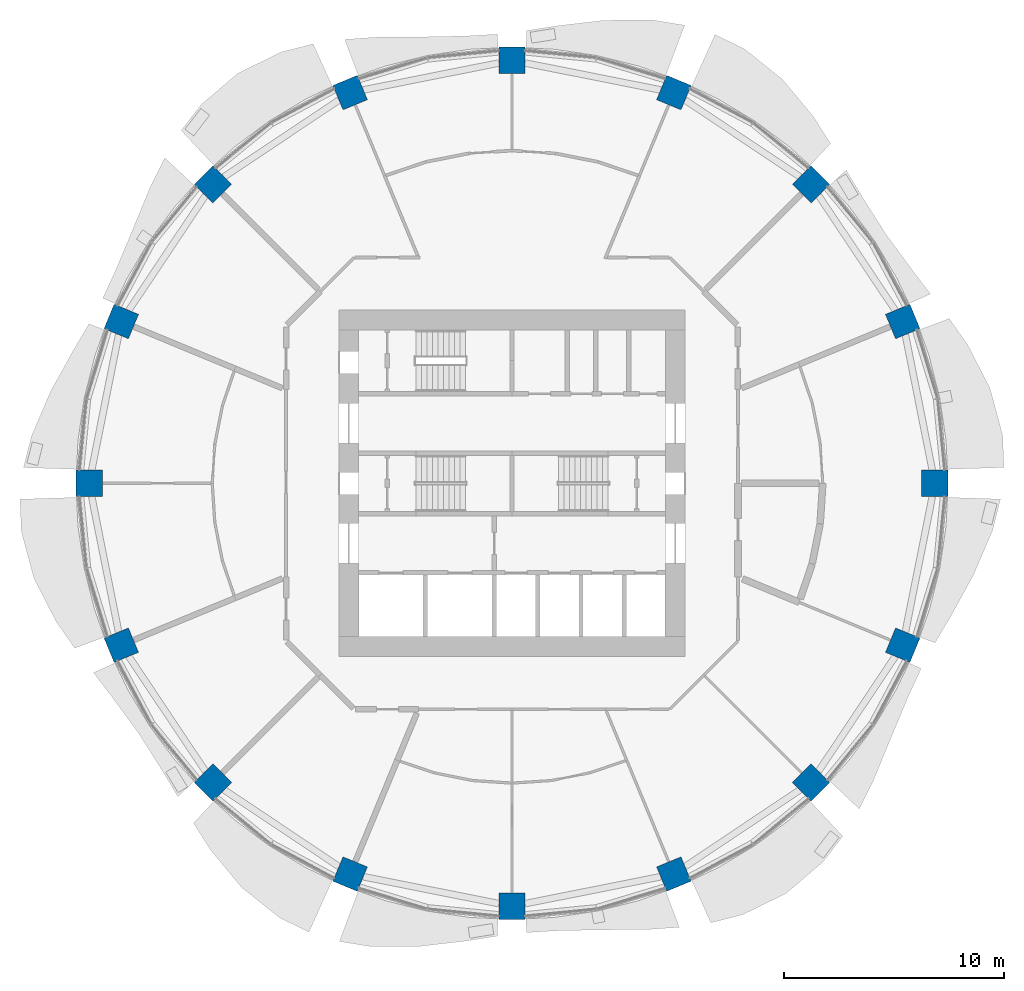
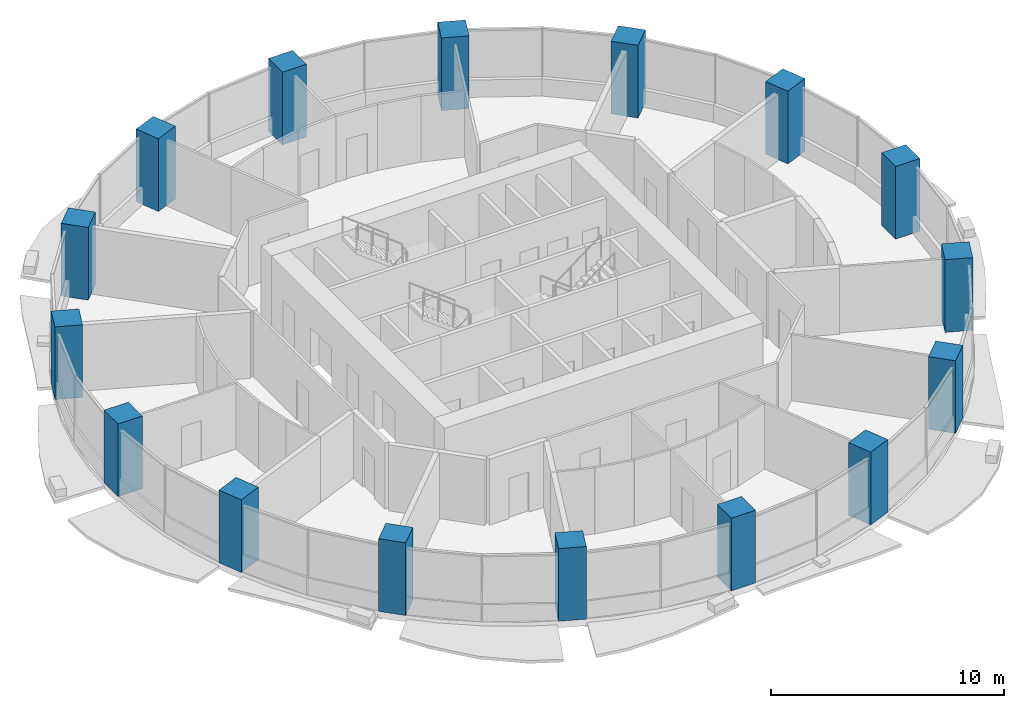
# One storey, part 1 of 15: 16 columns.
"""IFC4 building model written with IfcOpenShell, lengths in metres."""

from ifc_helpers import new_model, si_unit, direction, frame, origin, origin_2d, place, context, subcontext, project, spatial, rectangle, extrude, material, material_profile, profile_set, type_object, element, save


model = new_model("IFC4")

# Units and contexts
model_context = context("Model", 3, precision=1e-05, world=origin(), true_north=direction((0.0, 1.0)))
body_context = subcontext(model_context, "Body", "Model", "MODEL_VIEW")
ifc_project = project(units=[si_unit("LENGTHUNIT", "METRE"), si_unit("AREAUNIT", "SQUARE_METRE"), si_unit("VOLUMEUNIT", "CUBIC_METRE"), si_unit("PLANEANGLEUNIT", "RADIAN"), si_unit("MASSUNIT", "GRAM", prefix="KILO")], contexts=[model_context])

# Site, building, storey
site_placement = place(None, origin())
site = spatial("IfcSite", under=ifc_project, at=site_placement, CompositionType="ELEMENT")
building_placement = place(site_placement, origin())
building = spatial("IfcBuilding", under=site, at=building_placement, Name="Polderwave Tower", CompositionType="ELEMENT")
storey_placement = place(building_placement, frame((0.0, 0.0, 22.39990234375)))
storey = spatial("IfcBuildingStorey", under=building, at=storey_placement, Name="L05", CompositionType="ELEMENT", Elevation=22.39990234375)

# Columns
ifc_material = material(Name="Concrete C70/85", Category="concrete")
ifc_material_profile = material_profile(ifc_material, rectangle(XDim=1.199951171875, YDim=1.199951171875, at=origin_2d()), Name="RC 1200x1200")
ifc_profile_set = profile_set([ifc_material_profile], Name="Concrete C70/85")
column_type = type_object("IfcColumnType", Name="RC COLUMN 1200x1200 C70/85", PredefinedType="COLUMN", material=ifc_profile_set)
for number, where, z_axis, x_axis, name in (
    (1, (19.22998046875, 0.0, 0.0), (0.0, 0.0, 1.0), (1.0, 0.0, 0.0), "Ring column 01"),
    (2, (17.76611328125, 7.35888671875, 0.0), (0.0, 0.0, 1.0), (0.923879532511, 0.382683432365, 0.0), "Ring column 02"),
    (3, (13.59765625, 13.59765625, 0.0), (0.0, 0.0, 1.0), (0.707106781187, 0.707106781187, 0.0), "Ring column 03"),
    (4, (7.35888671875, 17.76611328125, 0.0), (0.0, 0.0, 1.0), (0.382683432365, 0.923879532511, 0.0), "Ring column 04"),
    (5, (0.0, 19.22998046875, 0.0), (0.0, 0.0, 1.0), (0.0, 1.0, 0.0), "Ring column 05"),
    (6, (-7.35888671875, 17.76611328125, 0.0), (0.0, 0.0, 1.0), (-0.382683432365, 0.923879532511, 0.0), "Ring column 06"),
    (7, (-13.59765625, 13.59765625, 0.0), (0.0, 0.0, 1.0), (-0.707106781187, 0.707106781187, 0.0), "Ring column 07"),
    (8, (-17.76611328125, 7.35888671875, 0.0), (0.0, 0.0, 1.0), (-0.923879532511, 0.382683432365, 0.0), "Ring column 08"),
    (9, (-19.22998046875, 0.0, 0.0), (0.0, 0.0, 1.0), (-1.0, 0.0, 0.0), "Ring column 09"),
    (10, (-17.76611328125, -7.35888671875, 0.0), (0.0, 0.0, 1.0), (-0.923879532511, -0.382683432365, 0.0), "Ring column 10"),
    (11, (-13.59765625, -13.59765625, 0.0), (0.0, 0.0, 1.0), (-0.707106781187, -0.707106781187, 0.0), "Ring column 11"),
    (12, (-7.35888671875, -17.76611328125, 0.0), (0.0, 0.0, 1.0), (-0.382683432365, -0.923879532511, 0.0), "Ring column 12"),
    (13, (0.0, -19.22998046875, 0.0), (0.0, 0.0, 1.0), (0.0, -1.0, 0.0), "Ring column 13"),
    (14, (7.35888671875, -17.76611328125, 0.0), (0.0, 0.0, 1.0), (0.382683432365, -0.923879532511, 0.0), "Ring column 14"),
    (15, (13.59765625, -13.59765625, 0.0), (0.0, 0.0, 1.0), (0.707106781187, -0.707106781187, 0.0), "Ring column 15"),
    (16, (17.76611328125, -7.35888671875, 0.0), (0.0, 0.0, 1.0), (0.923879532511, -0.382683432365, 0.0), "Ring column 16"),
):
    element("IfcColumn", number, at=place(storey_placement, frame(where, z_axis=z_axis, x_axis=x_axis)), inside=storey, type_object=column_type, Name=name, PredefinedType="COLUMN", context=body_context, shape_type="SweptSolid", body=[
        extrude(rectangle(XDim=1.199951171875, YDim=1.199951171875, at=origin_2d()), origin(), (0.0, 0.0, 1.0), 3.800048828125),
    ])

save(model, "model.ifc")
